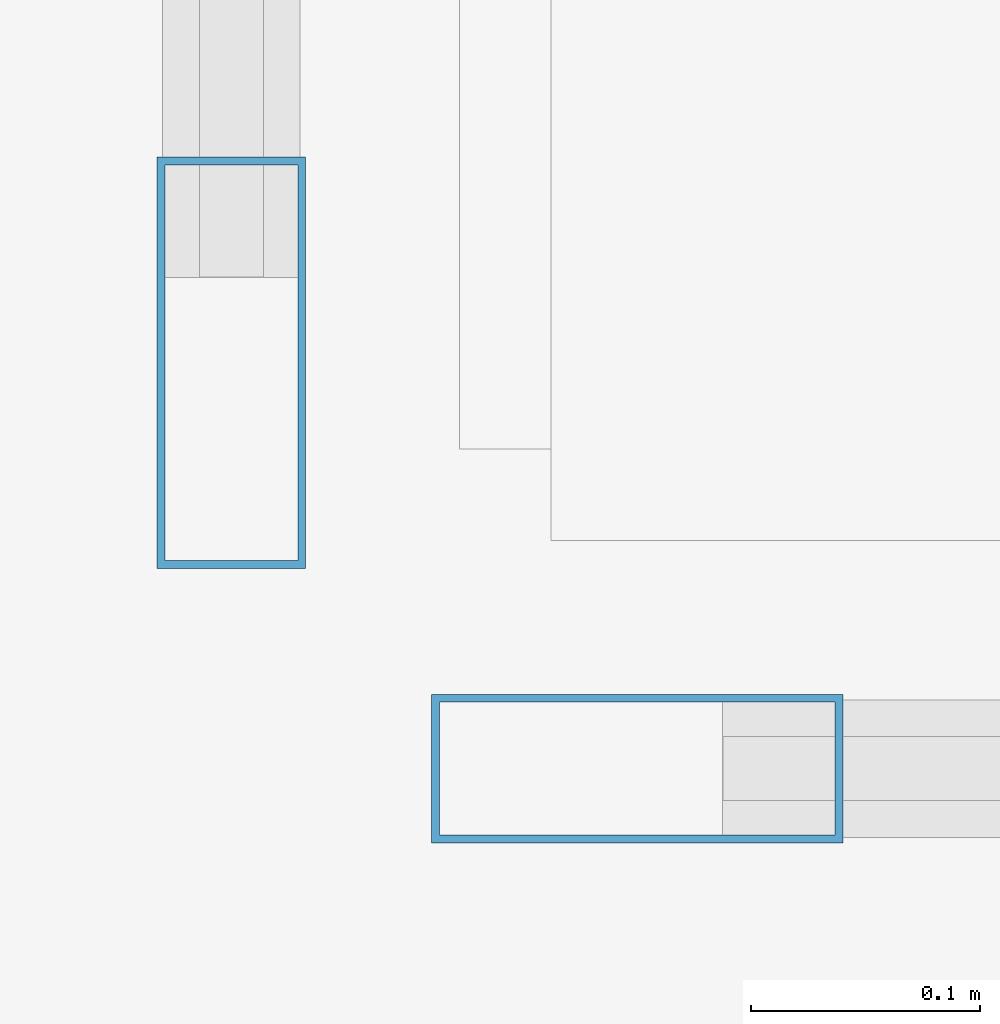
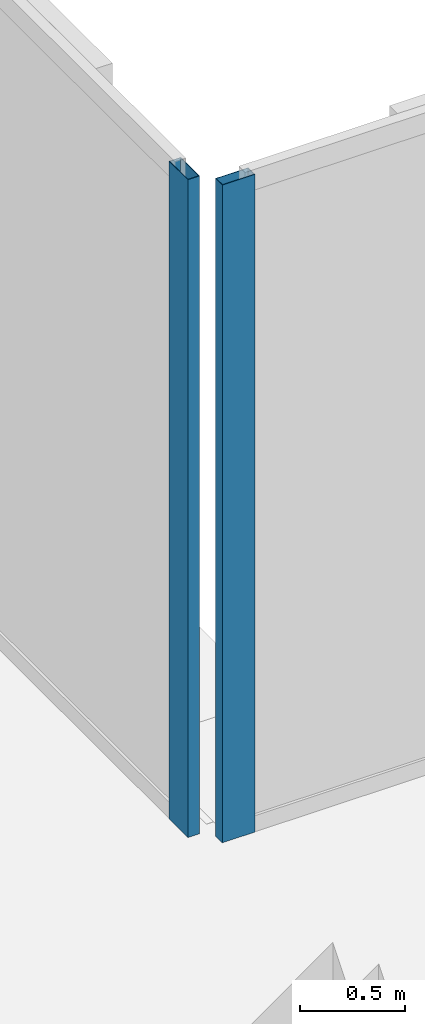
# One storey, part 19 of 29: 2 members, 2 elements without a shape of their own.
"""IFC4 building model written with IfcOpenShell, lengths in metres."""

from ifc_helpers import new_model, si_unit, direction, frame, origin, origin_2d, place, context, subcontext, project, spatial, hollow_rectangle, extrude, material, layer, layer_set, material_profile, profile_set, type_object, element, aggregate, save


model = new_model("IFC4")

# Units and contexts
model_context = context("Model", 3, precision=1e-05, world=origin(), true_north=direction((0.0, 1.0)))
body_context = subcontext(model_context, "Body", "Model", "MODEL_VIEW")
ifc_project = project(units=[si_unit("LENGTHUNIT", "METRE"), si_unit("AREAUNIT", "SQUARE_METRE"), si_unit("VOLUMEUNIT", "CUBIC_METRE"), si_unit("PLANEANGLEUNIT", "RADIAN"), si_unit("MASSUNIT", "GRAM", prefix="KILO")], contexts=[model_context])

# Site, building, storey
site_placement = place(None, origin())
site = spatial("IfcSite", under=ifc_project, at=site_placement, CompositionType="ELEMENT")
building_placement = place(site_placement, origin())
building = spatial("IfcBuilding", under=site, at=building_placement, Name="Nerrivon Quay Data Exchange", CompositionType="ELEMENT")
storey_placement = place(building_placement, frame((0.0, 0.0, 179.60009765625)))
storey = spatial("IfcBuildingStorey", under=building, at=storey_placement, Name="L42", CompositionType="ELEMENT", Elevation=179.60009765625)

# Curtain wall, member
ifc_material = material(Name="Anodised aluminium 6063-T6", Category="aluminium")
ifc_layer = layer(ifc_material, 0.195068359375)
ifc_layer_set = layer_set([ifc_layer], Name="Anodised aluminium 6063-T6")
curtain_wall_type = type_object("IfcCurtainWallType", Name="CW-SYS-06", PredefinedType="NOTDEFINED", material=ifc_layer_set)
curtain_wall_1_placement = place(storey_placement, origin())
curtain_wall_1 = element("IfcCurtainWall", 1, at=curtain_wall_1_placement, inside=storey, type_object=curtain_wall_type, Name="L42 Unitised Curtain Wall 11", PredefinedType="NOTDEFINED")
ifc_material_profile = material_profile(ifc_material, hollow_rectangle(XDim=0.06494140625, YDim=0.179931640625, WallThickness=0.00341796875, at=origin_2d()), Name="ALU-MULL-180x65")
ifc_profile_set = profile_set([ifc_material_profile], Name="Anodised aluminium 6063-T6")
member_type = type_object("IfcMemberType", Name="CWM-180x65", PredefinedType="MULLION", material=ifc_profile_set)
member_1_placement = place(storey_placement, frame((20.860107421875, 46.237548828125, 0.0), z_axis=(0.0, 0.0, 1.0), x_axis=(1.0, 0.0, 0.0)))
member_1 = element("IfcMember", 2, at=member_1_placement, type_object=member_type, Name="CW06 mullion 2", PredefinedType="MULLION", context=body_context, shape_type="SweptSolid", body=[
    extrude(hollow_rectangle(XDim=0.06494140625, YDim=0.179931640625, WallThickness=0.00341796875, at=origin_2d()), origin(), (0.0, 0.0, 1.0), 3.824951171875),
])
aggregate(curtain_wall_1, [member_1])

curtain_wall_2_placement = place(storey_placement, origin())
curtain_wall_2 = element("IfcCurtainWall", 3, at=curtain_wall_2_placement, inside=storey, type_object=curtain_wall_type, Name="L42 Unitised Curtain Wall 12", PredefinedType="NOTDEFINED")
member_2_placement = place(storey_placement, frame((21.03759765625, 46.06005859375, 0.0), z_axis=(0.0, 0.0, 1.0), x_axis=(0.0, 1.0, 0.0)))
member_2 = element("IfcMember", 4, at=member_2_placement, type_object=member_type, Name="CW06 mullion 1", PredefinedType="MULLION", context=body_context, shape_type="SweptSolid", body=[
    extrude(hollow_rectangle(XDim=0.06494140625, YDim=0.179931640625, WallThickness=0.00341796875, at=origin_2d()), origin(), (0.0, 0.0, 1.0), 3.824951171875),
])
aggregate(curtain_wall_2, [member_2])

save(model, "model.ifc")
